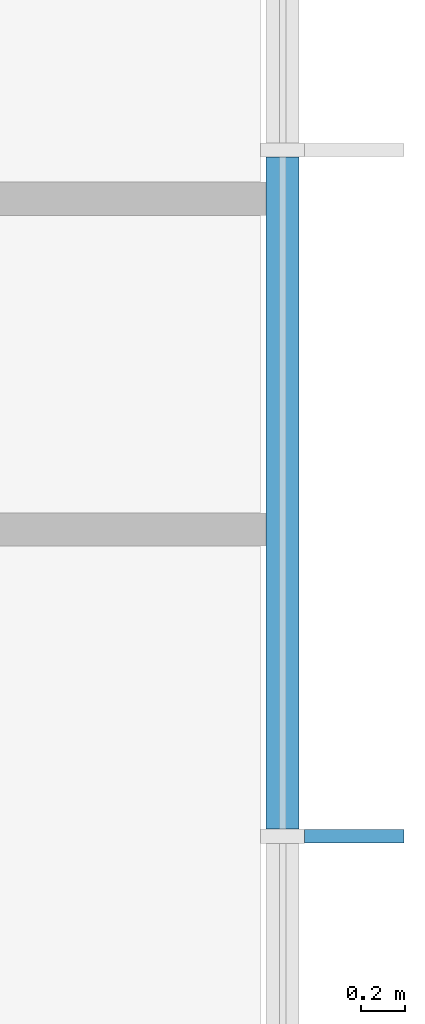
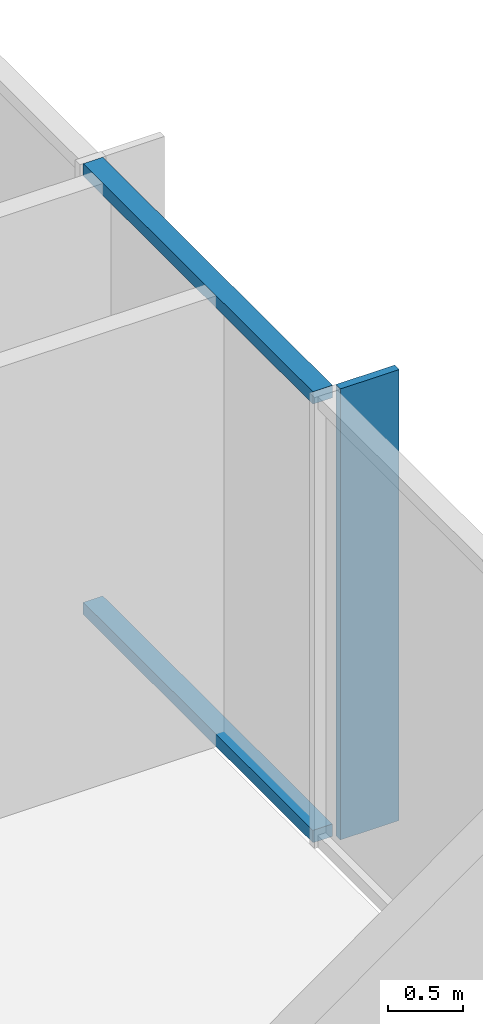
# One storey, part 5 of 13: 3 members, 1 element without a shape of its own.
"""IFC4 building model written with IfcOpenShell, lengths in metres."""

from ifc_helpers import new_model, si_unit, direction, frame, origin, origin_2d, place, context, subcontext, project, spatial, rectangle, extrude, material, layer, layer_set, material_profile, profile_set, type_object, element, aggregate, save


model = new_model("IFC4")

# Units and contexts
model_context = context("Model", 3, precision=1e-05, world=origin(), true_north=direction((0.0, 1.0)))
body_context = subcontext(model_context, "Body", "Model", "MODEL_VIEW")
ifc_project = project(units=[si_unit("LENGTHUNIT", "METRE"), si_unit("AREAUNIT", "SQUARE_METRE"), si_unit("VOLUMEUNIT", "CUBIC_METRE"), si_unit("PLANEANGLEUNIT", "RADIAN"), si_unit("MASSUNIT", "GRAM", prefix="KILO")], contexts=[model_context])

# Site, building, storey
site_placement = place(None, origin())
site = spatial("IfcSite", under=ifc_project, at=site_placement, CompositionType="ELEMENT")
building_placement = place(site_placement, origin())
building = spatial("IfcBuilding", under=site, at=building_placement, Name="Highveld Stack Headquarters", CompositionType="ELEMENT")
storey_placement = place(building_placement, frame((0.0, 0.0, 84.5)))
storey = spatial("IfcBuildingStorey", under=building, at=storey_placement, Name="L20", CompositionType="ELEMENT", Elevation=84.5)

# Curtain wall, members
ifc_material_1 = material(Name="Aluminium bronze anodised", Category="aluminium")
ifc_layer = layer(ifc_material_1, 0.199951171875)
ifc_layer_set = layer_set([ifc_layer], Name="Aluminium bronze anodised")
curtain_wall_type = type_object("IfcCurtainWallType", Name="CW1 TOWER UNITISED CURTAIN WALL", PredefinedType="NOTDEFINED", material=ifc_layer_set)
curtain_wall_placement = place(storey_placement, origin())
curtain_wall = element("IfcCurtainWall", 1, at=curtain_wall_placement, inside=storey, type_object=curtain_wall_type, Name="Curtain wall CW1 L20 E", PredefinedType="NOTDEFINED")
ifc_material_2 = material(Name="Aluminium bronze anodised", Category="aluminium")
ifc_material_profile_1 = material_profile(ifc_material_2, rectangle(XDim=0.449951171875, YDim=0.06005859375, at=origin_2d()), Name="FIN 450x60")
ifc_profile_set_1 = profile_set([ifc_material_profile_1], Name="Aluminium bronze anodised")
member_type_1 = type_object("IfcMemberType", Name="CW1 BRONZE FIN 450x60", PredefinedType="USERDEFINED", material=ifc_profile_set_1)
member_1_placement = place(storey_placement, frame((31.925048828125, 9.110595703125, 0.0), z_axis=(0.0, 0.0, 1.0), x_axis=(-1.0, 0.0, 0.0)))
member_1 = element("IfcMember", 2, at=member_1_placement, type_object=member_type_1, Name="CW1 fin L20 8", ObjectType="FIN", PredefinedType="USERDEFINED", context=body_context, shape_type="SweptSolid", body=[
    extrude(rectangle(XDim=0.449951171875, YDim=0.06005859375, at=origin_2d()), origin(), (0.0, 0.0, 1.0), 3.64990234375),
])
ifc_material_3 = material(Name="Aluminium bronze anodised", Category="aluminium")
ifc_material_profile_2 = material_profile(ifc_material_3, rectangle(XDim=0.14990234375, YDim=0.10009765625, at=origin_2d()), Name="CW1 TRANSOM 150x100")
ifc_profile_set_2 = profile_set([ifc_material_profile_2], Name="Aluminium bronze anodised")
member_type_2 = type_object("IfcMemberType", Name="CW1 STACK TRANSOM 150x100", PredefinedType="USERDEFINED", material=ifc_profile_set_2)
member_2_placement = place(storey_placement, frame((31.60009765625, 9.14306640625, 0.050048828125), z_axis=(0.0, 1.0, 0.0), x_axis=(-1.0, 0.0, 0.0)))
member_2 = element("IfcMember", 3, at=member_2_placement, type_object=member_type_2, Name="CW1 transom L20 8.1", ObjectType="TRANSOM", PredefinedType="USERDEFINED", context=body_context, shape_type="SweptSolid", body=[
    extrude(rectangle(XDim=0.14990234375, YDim=0.10009765625, at=origin_2d()), origin(), (0.0, 0.0, 1.0), 3.04541015625),
])
member_3_placement = place(storey_placement, frame((31.60009765625, 9.14306640625, 3.60009765625), z_axis=(0.0, 1.0, 0.0), x_axis=(-1.0, 0.0, 0.0)))
member_3 = element("IfcMember", 4, at=member_3_placement, type_object=member_type_2, Name="CW1 transom L20 8.2", ObjectType="TRANSOM", PredefinedType="USERDEFINED", context=body_context, shape_type="SweptSolid", body=[
    extrude(rectangle(XDim=0.14990234375, YDim=0.10009765625, at=origin_2d()), origin(), (0.0, 0.0, 1.0), 3.04541015625),
])
aggregate(curtain_wall, [member_1, member_2, member_3])

save(model, "model.ifc")
